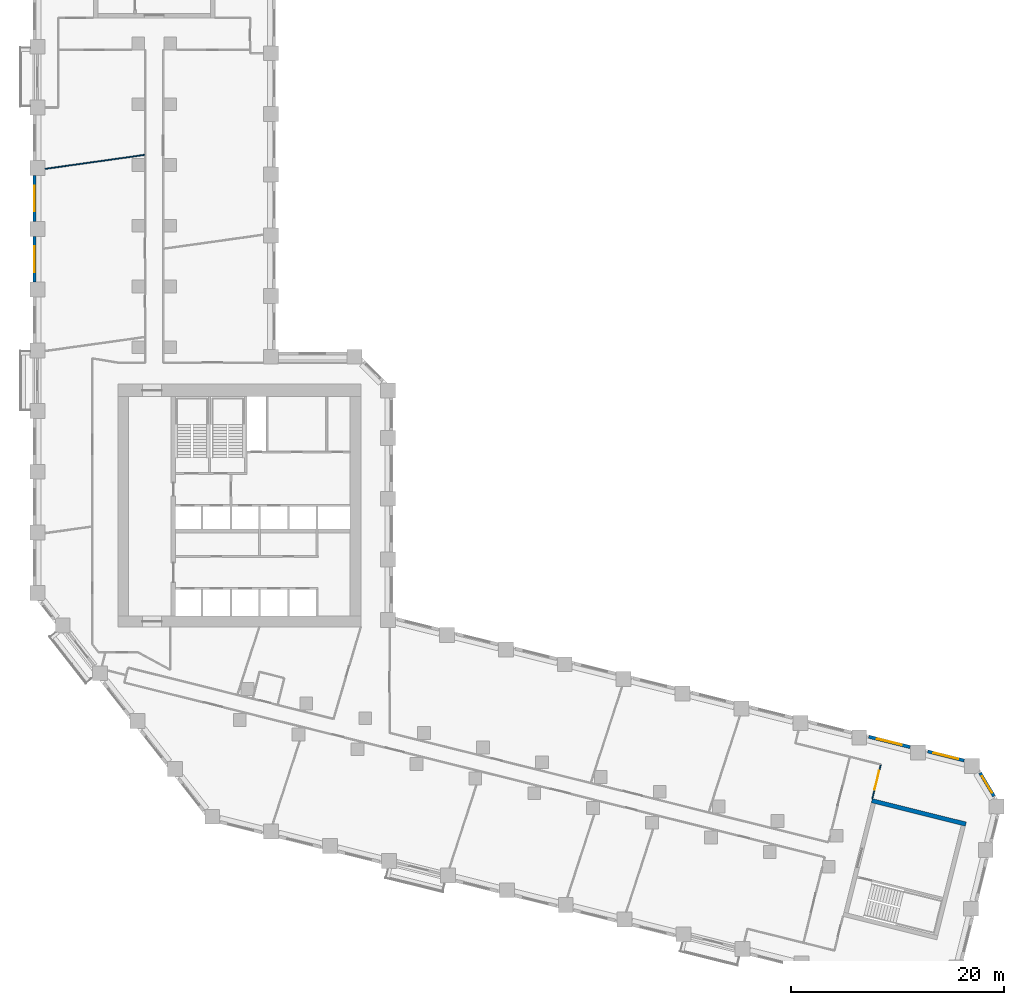
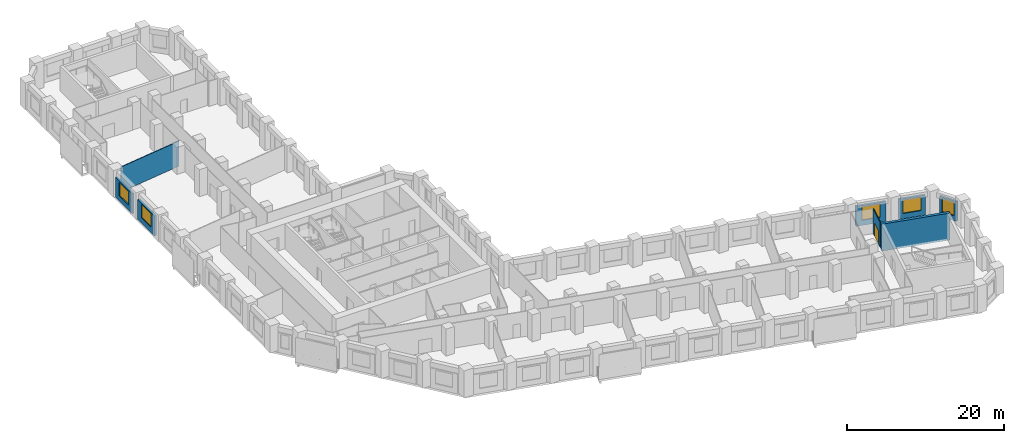
# One storey, part 8 of 12: 8 walls, 5 windows, 1 door, 6 openings.
"""IFC4 building model written with IfcOpenShell, lengths in metres."""

from ifc_helpers import new_model, si_unit, direction, frame, frame_2d, origin, place, context, subcontext, project, spatial, rectangle, extrude, material, layer, layer_set, type_object, element, fill, save


model = new_model("IFC4")

# Units and contexts
model_context = context("Model", 3, precision=1e-05, world=origin(), true_north=direction((0.0, 1.0)))
body_context = subcontext(model_context, "Body", "Model", "MODEL_VIEW")
ifc_project = project(units=[si_unit("LENGTHUNIT", "METRE"), si_unit("AREAUNIT", "SQUARE_METRE"), si_unit("VOLUMEUNIT", "CUBIC_METRE"), si_unit("PLANEANGLEUNIT", "RADIAN"), si_unit("MASSUNIT", "GRAM", prefix="KILO")], contexts=[model_context])

# Site, building, storey
site_placement = place(None, origin())
site = spatial("IfcSite", under=ifc_project, at=site_placement, CompositionType="ELEMENT")
building_placement = place(site_placement, origin())
building = spatial("IfcBuilding", under=site, at=building_placement, Name="Meshkara Civic Tower", CompositionType="ELEMENT")
storey_placement = place(building_placement, frame((0.0, 0.0, 62.39990234375)))
storey = spatial("IfcBuildingStorey", under=building, at=storey_placement, Name="L13", CompositionType="ELEMENT", Elevation=62.39990234375)

# Wall, opening, door
ifc_material_1 = material(Name="Corridor wall 100")
ifc_layer_1 = layer(ifc_material_1, 0.10009765625)
ifc_layer_set_1 = layer_set([ifc_layer_1], Name="Corridor wall 100")
wall_type_1 = type_object("IfcWallType", Name="Corridor wall 100", PredefinedType="PARTITIONING", material=ifc_layer_set_1)
wall_1_placement = place(storey_placement, frame((78.821044921875, -2.029052734375, 0.0), z_axis=(0.0, 0.0, 1.0), x_axis=(0.241769629392, 0.970333677816, 0.0)))
wall_1 = element("IfcWall", 1, at=wall_1_placement, inside=storey, type_object=wall_type_1, Name="L13-W030", PredefinedType="PARTITIONING", context=body_context, shape_type="SweptSolid", body=[
    extrude(rectangle(XDim=3.300048828125, YDim=0.10009765625, at=frame_2d((1.64990234375, 0.0))), origin(), (0.0, 0.0, 1.0), 3.900146484375),
])
opening_1_placement = place(wall_1_placement, frame((0.8798828125, 0.0, 0.0)))
opening_1 = element("IfcOpeningElement", 2, at=opening_1_placement, cuts=wall_1, Name="Opening L13-D008", PredefinedType="OPENING", context=body_context, shape_type="SweptSolid", body=[
    extrude(rectangle(XDim=1.800048828125, YDim=2.10009765625, at=frame_2d((0.89990234375, 1.050048828125))), frame((0.0, 0.06005859375, 0.0), z_axis=(0.0, -1.0, 0.0), x_axis=(1.0, 0.0, 0.0)), (0.0, 0.0, 1.0), 0.1201171875),
])
ifc_material_2 = material(Name="Door pair 1800 x 2100")
door_type = type_object("IfcDoorType", Name="Door pair 1800 x 2100", OperationType="SINGLE_SWING_LEFT", PredefinedType="DOOR", material=ifc_material_2)
door_placement = place(opening_1_placement, origin())
door = element("IfcDoor", 3, at=door_placement, inside=storey, type_object=door_type, Name="L13-D008", OperationType="DOUBLE_DOOR_SINGLE_SWING", OverallHeight=2.10009765625, OverallWidth=1.800048828125, PredefinedType="DOOR", context=body_context, shape_type="SweptSolid", body=[
    extrude(rectangle(XDim=1.800048828125, YDim=2.10009765625, at=frame_2d((0.89990234375, 1.050048828125))), frame((0.0, 0.02490234375, 0.0), z_axis=(0.0, -1.0, 0.0), x_axis=(1.0, 0.0, 0.0)), (0.0, 0.0, 1.0), 0.050048828125),
])
fill(opening_1, door)

# Wall, opening, window
ifc_material_3 = material(Name="Insulated infill panel with bronze anodised aluminium cladding", Category="aluminium")
ifc_layer_2 = layer(ifc_material_3, 0.300048828125)
ifc_layer_set_2 = layer_set([ifc_layer_2], Name="EXTERNAL INFILL WALL 300")
wall_type_2 = type_object("IfcWallType", Name="EXTERNAL INFILL WALL 300", PredefinedType="SOLIDWALL", material=ifc_layer_set_2)
wall_2_placement = place(storey_placement, frame((87.43505859375, 1.54296875, 0.0), z_axis=(0.0, 0.0, 1.0), x_axis=(-0.970289298425, 0.241947674843, 0.0)))
wall_2 = element("IfcWall", 4, at=wall_2_placement, inside=storey, type_object=wall_type_2, Name="External wall", PredefinedType="SOLIDWALL", context=body_context, shape_type="SweptSolid", body=[
    extrude(rectangle(XDim=3.517578125, YDim=0.300048828125, at=frame_2d((1.7587890625, 0.0))), origin(), (0.0, 0.0, 1.0), 3.10009765625),
])
opening_2_placement = place(wall_2_placement, frame((0.55908203125, 0.0, 0.800048828125)))
opening_2 = element("IfcOpeningElement", 5, at=opening_2_placement, cuts=wall_2, Name="Opening W7", PredefinedType="OPENING", context=body_context, shape_type="SweptSolid", body=[
    extrude(rectangle(XDim=2.39990234375, YDim=2.10009765625, at=frame_2d((1.199951171875, 1.050048828125))), frame((0.0, 0.159912109375, 0.0), z_axis=(0.0, -1.0, 0.0), x_axis=(1.0, 0.0, 0.0)), (0.0, 0.0, 1.0), 0.320068359375),
])
ifc_material_4 = material(Name="Tinted double glazing", Category="glass")
window_type_1 = type_object("IfcWindowType", Name="WINDOW 2400x2100", PartitioningType="DOUBLE_PANEL_VERTICAL", PredefinedType="WINDOW", material=ifc_material_4)
window_1_placement = place(opening_2_placement, origin())
window_1 = element("IfcWindow", 6, at=window_1_placement, inside=storey, type_object=window_type_1, Name="Window", OverallHeight=2.10009765625, OverallWidth=2.39990234375, PartitioningType="DOUBLE_PANEL_VERTICAL", PredefinedType="WINDOW", context=body_context, shape_type="SweptSolid", body=[
    extrude(rectangle(XDim=2.39990234375, YDim=2.10009765625, at=frame_2d((1.199951171875, 1.050048828125))), frame((0.0, 0.030029296875, 0.0), z_axis=(0.0, -1.0, 0.0), x_axis=(1.0, 0.0, 0.0)), (0.0, 0.0, 1.0), 0.06005859375),
])
fill(opening_2, window_1)

wall_3_placement = place(storey_placement, frame((82.375, 2.804931640625, 0.0), z_axis=(0.0, 0.0, 1.0), x_axis=(-0.970318045095, 0.24183236211, 0.0)))
wall_3 = element("IfcWall", 7, at=wall_3_placement, inside=storey, type_object=wall_type_2, Name="External wall", PredefinedType="SOLIDWALL", context=body_context, shape_type="SweptSolid", body=[
    extrude(rectangle(XDim=4.0029296875, YDim=0.300048828125, at=frame_2d((2.00146484375, 0.0))), origin(), (0.0, 0.0, 1.0), 3.10009765625),
])
opening_3_placement = place(wall_3_placement, frame((0.802001953125, 0.0, 0.800048828125)))
opening_3 = element("IfcOpeningElement", 8, at=opening_3_placement, cuts=wall_3, Name="Opening W7", PredefinedType="OPENING", context=body_context, shape_type="SweptSolid", body=[
    extrude(rectangle(XDim=2.39990234375, YDim=2.10009765625, at=frame_2d((1.199951171875, 1.050048828125))), frame((0.0, 0.159912109375, 0.0), z_axis=(0.0, -1.0, 0.0), x_axis=(1.0, 0.0, 0.0)), (0.0, 0.0, 1.0), 0.320068359375),
])
window_2_placement = place(opening_3_placement, origin())
window_2 = element("IfcWindow", 9, at=window_2_placement, inside=storey, type_object=window_type_1, Name="Window", OverallHeight=2.10009765625, OverallWidth=2.39990234375, PartitioningType="DOUBLE_PANEL_VERTICAL", PredefinedType="WINDOW", context=body_context, shape_type="SweptSolid", body=[
    extrude(rectangle(XDim=2.39990234375, YDim=2.10009765625, at=frame_2d((1.199951171875, 1.050048828125))), frame((0.0, 0.030029296875, 0.0), z_axis=(0.0, -1.0, 0.0), x_axis=(1.0, 0.0, 0.0)), (0.0, 0.0, 1.0), 0.06005859375),
])
fill(opening_3, window_2)

wall_4_placement = place(storey_placement, frame((0.14990234375, 56.455078125, 0.0), z_axis=(0.0, 0.0, 1.0), x_axis=(0.0, -1.0, 0.0)))
wall_4 = element("IfcWall", 10, at=wall_4_placement, inside=storey, type_object=wall_type_2, Name="External wall", PredefinedType="SOLIDWALL", context=body_context, shape_type="SweptSolid", body=[
    extrude(rectangle(XDim=4.300048828125, YDim=0.300048828125, at=frame_2d((2.14990234375, 0.0))), origin(), (0.0, 0.0, 1.0), 3.10009765625),
])
opening_4_placement = place(wall_4_placement, frame((0.949951171875, 0.0, 0.800048828125)))
opening_4 = element("IfcOpeningElement", 11, at=opening_4_placement, cuts=wall_4, Name="Opening W7", PredefinedType="OPENING", context=body_context, shape_type="SweptSolid", body=[
    extrude(rectangle(XDim=2.39990234375, YDim=2.10009765625, at=frame_2d((1.199951171875, 1.050048828125))), frame((0.0, 0.159912109375, 0.0), z_axis=(0.0, -1.0, 0.0), x_axis=(1.0, 0.0, 0.0)), (0.0, 0.0, 1.0), 0.320068359375),
])
window_3_placement = place(opening_4_placement, origin())
window_3 = element("IfcWindow", 12, at=window_3_placement, inside=storey, type_object=window_type_1, Name="Window", OverallHeight=2.10009765625, OverallWidth=2.39990234375, PartitioningType="DOUBLE_PANEL_VERTICAL", PredefinedType="WINDOW", context=body_context, shape_type="SweptSolid", body=[
    extrude(rectangle(XDim=2.39990234375, YDim=2.10009765625, at=frame_2d((1.199951171875, 1.050048828125))), frame((0.0, 0.030029296875, 0.0), z_axis=(0.0, -1.0, 0.0), x_axis=(1.0, 0.0, 0.0)), (0.0, 0.0, 1.0), 0.06005859375),
])
fill(opening_4, window_3)

wall_5_placement = place(storey_placement, frame((0.14990234375, 50.7548828125, 0.0), z_axis=(0.0, 0.0, 1.0), x_axis=(0.0, -1.0, 0.0)))
wall_5 = element("IfcWall", 13, at=wall_5_placement, inside=storey, type_object=wall_type_2, Name="External wall", PredefinedType="SOLIDWALL", context=body_context, shape_type="SweptSolid", body=[
    extrude(rectangle(XDim=4.2998046875, YDim=0.300048828125, at=frame_2d((2.14990234375, 0.0))), origin(), (0.0, 0.0, 1.0), 3.10009765625),
])
opening_5_placement = place(wall_5_placement, frame((0.949951171875, 0.0, 0.800048828125)))
opening_5 = element("IfcOpeningElement", 14, at=opening_5_placement, cuts=wall_5, Name="Opening W7", PredefinedType="OPENING", context=body_context, shape_type="SweptSolid", body=[
    extrude(rectangle(XDim=2.39990234375, YDim=2.10009765625, at=frame_2d((1.199951171875, 1.050048828125))), frame((0.0, 0.159912109375, 0.0), z_axis=(0.0, -1.0, 0.0), x_axis=(1.0, 0.0, 0.0)), (0.0, 0.0, 1.0), 0.320068359375),
])
window_4_placement = place(opening_5_placement, origin())
window_4 = element("IfcWindow", 15, at=window_4_placement, inside=storey, type_object=window_type_1, Name="Window", OverallHeight=2.10009765625, OverallWidth=2.39990234375, PartitioningType="DOUBLE_PANEL_VERTICAL", PredefinedType="WINDOW", context=body_context, shape_type="SweptSolid", body=[
    extrude(rectangle(XDim=2.39990234375, YDim=2.10009765625, at=frame_2d((1.199951171875, 1.050048828125))), frame((0.0, 0.030029296875, 0.0), z_axis=(0.0, -1.0, 0.0), x_axis=(1.0, 0.0, 0.0)), (0.0, 0.0, 1.0), 0.06005859375),
])
fill(opening_5, window_4)

wall_6_placement = place(storey_placement, frame((90.248046875, -1.801025390625, 0.0), z_axis=(0.0, 0.0, 1.0), x_axis=(-0.515441886055, 0.856924536992, 0.0)))
wall_6 = element("IfcWall", 16, at=wall_6_placement, inside=storey, type_object=wall_type_2, Name="External wall", PredefinedType="SOLIDWALL", context=body_context, shape_type="SweptSolid", body=[
    extrude(rectangle(XDim=2.54150390625, YDim=0.300048828125, at=frame_2d((1.270751953125, 0.0))), origin(), (0.0, 0.0, 1.0), 3.10009765625),
])
opening_6_placement = place(wall_6_placement, frame((0.37109375, 0.0, 0.800048828125)))
opening_6 = element("IfcOpeningElement", 17, at=opening_6_placement, cuts=wall_6, Name="Opening W9", PredefinedType="OPENING", context=body_context, shape_type="SweptSolid", body=[
    extrude(rectangle(XDim=1.800048828125, YDim=2.10009765625, at=frame_2d((0.89990234375, 1.050048828125))), frame((0.0, 0.159912109375, 0.0), z_axis=(0.0, -1.0, 0.0), x_axis=(1.0, 0.0, 0.0)), (0.0, 0.0, 1.0), 0.320068359375),
])
ifc_material_5 = material(Name="Tinted double glazing", Category="glass")
window_type_2 = type_object("IfcWindowType", Name="WINDOW 1800x2100", PartitioningType="DOUBLE_PANEL_VERTICAL", PredefinedType="WINDOW", material=ifc_material_5)
window_5_placement = place(opening_6_placement, origin())
window_5 = element("IfcWindow", 18, at=window_5_placement, inside=storey, type_object=window_type_2, Name="Window", OverallHeight=2.10009765625, OverallWidth=1.800048828125, PartitioningType="DOUBLE_PANEL_VERTICAL", PredefinedType="WINDOW", context=body_context, shape_type="SweptSolid", body=[
    extrude(rectangle(XDim=1.800048828125, YDim=2.10009765625, at=frame_2d((0.89990234375, 1.050048828125))), frame((0.0, 0.030029296875, 0.0), z_axis=(0.0, -1.0, 0.0), x_axis=(1.0, 0.0, 0.0)), (0.0, 0.0, 1.0), 0.06005859375),
])
fill(opening_6, window_5)

# Walls
ifc_material_6 = material(Name="Concrete C80", Category="concrete")
ifc_layer_3 = layer(ifc_material_6, 0.39990234375)
ifc_layer_set_3 = layer_set([ifc_layer_3], Name="End core ring wall 400 C80")
wall_type_3 = type_object("IfcWallType", Name="End core ring wall 400 C80", PredefinedType="SHEAR", material=ifc_layer_set_3)
wall_7_placement = place(storey_placement, frame((78.77197265625, -2.222900390625, -0.2998046875), z_axis=(0.0, 0.0, 1.0), x_axis=(0.970306400786, -0.241879078453, 0.0)))
element("IfcWall", 19, at=wall_7_placement, inside=storey, type_object=wall_type_3, Name="L13-C032", PredefinedType="SHEAR", context=body_context, shape_type="SweptSolid", body=[
    extrude(rectangle(XDim=9.100341796875, YDim=0.39990234375, at=frame_2d((4.55029296875, 0.0))), origin(), (0.0, 0.0, 1.0), 4.199951171875),
])
ifc_material_7 = material(Name="Partition 100")
ifc_layer_4 = layer(ifc_material_7, 0.10009765625)
ifc_layer_set_4 = layer_set([ifc_layer_4], Name="Partition 100")
wall_type_4 = type_object("IfcWallType", Name="Partition 100", PredefinedType="PARTITIONING", material=ifc_layer_set_4)
wall_8_placement = place(storey_placement, frame((10.492919921875, 58.405029296875, 0.0), z_axis=(0.0, 0.0, 1.0), x_axis=(-0.990255073415, -0.139265536207, 0.0)))
element("IfcWall", 20, at=wall_8_placement, inside=storey, type_object=wall_type_4, Name="L13-W038", PredefinedType="PARTITIONING", context=body_context, shape_type="SweptSolid", body=[
    extrude(rectangle(XDim=9.43505859375, YDim=0.10009765625, at=frame_2d((4.717529296875, 0.0))), origin(), (0.0, 0.0, 1.0), 3.900146484375),
])

save(model, "model.ifc")
